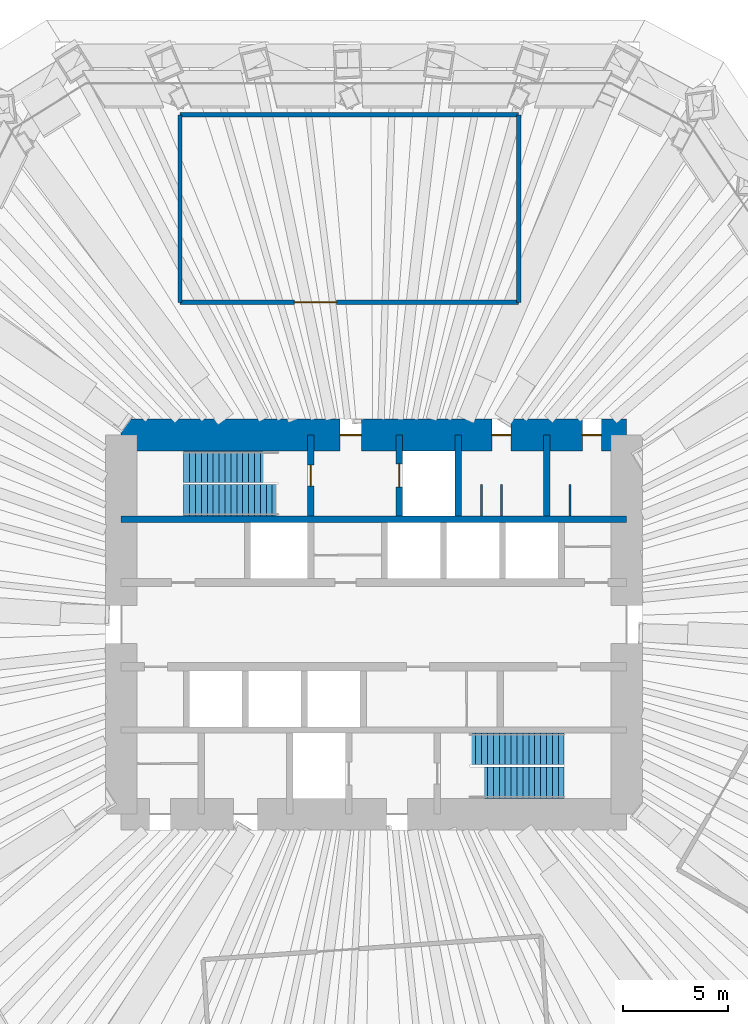
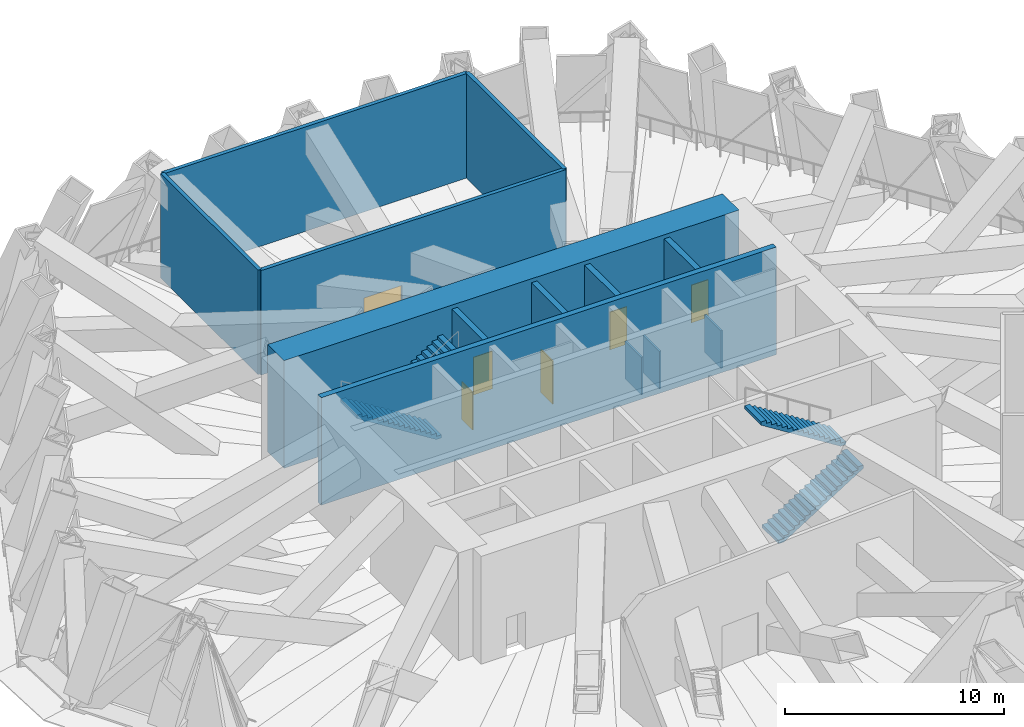
# One storey, part 8 of 12: 13 walls, 6 doors, 4 stair flights, 6 openings, 2 elements without a shape of their own.
"""IFC4 building model written with IfcOpenShell, lengths in metres."""

from ifc_helpers import new_model, si_unit, direction, frame, frame_2d, origin, place, context, subcontext, project, spatial, polyline, rectangle, outline, extrude, material, layer, layer_set, type_object, element, fill, aggregate, save


model = new_model("IFC4")

# Units and contexts
model_context = context("Model", 3, precision=1e-05, world=origin(), true_north=direction((0.0, 1.0)))
body_context = subcontext(model_context, "Body", "Model", "MODEL_VIEW")
ifc_project = project(units=[si_unit("LENGTHUNIT", "METRE"), si_unit("AREAUNIT", "SQUARE_METRE"), si_unit("VOLUMEUNIT", "CUBIC_METRE"), si_unit("PLANEANGLEUNIT", "RADIAN"), si_unit("MASSUNIT", "GRAM", prefix="KILO")], contexts=[model_context])

# Site, building, storey
site_placement = place(None, origin())
site = spatial("IfcSite", under=ifc_project, at=site_placement, CompositionType="ELEMENT")
building_placement = place(site_placement, origin())
building = spatial("IfcBuilding", under=site, at=building_placement, Name="Qingtian Harvest Tower", CompositionType="ELEMENT")
storey_placement = place(building_placement, frame((0.0, 0.0, 97.0)))
storey = spatial("IfcBuildingStorey", under=building, at=storey_placement, Name="L19", CompositionType="ELEMENT", Elevation=97.0)

# Wall
ifc_material_1 = material(Name="Concrete fc' 70 MPa", Category="concrete")
ifc_layer_1 = layer(ifc_material_1, 0.300048828125)
ifc_layer_set_1 = layer_set([ifc_layer_1], Name="Core inner wall RC5 300")
wall_type_1 = type_object("IfcWallType", Name="Core inner wall RC5 300", PredefinedType="SHEAR", material=ifc_layer_set_1)
wall_1_placement = place(storey_placement, frame((-12.0, 5.0, 0.0), z_axis=(0.0, 0.0, 1.0), x_axis=(1.0, 0.0, 0.0)))
element("IfcWall", 1, at=wall_1_placement, inside=storey, type_object=wall_type_1, Name="Core wall IN5 L19", PredefinedType="SHEAR", context=body_context, shape_type="SweptSolid", body=[
    extrude(rectangle(XDim=24.0, YDim=0.300048828125, at=frame_2d((12.0, 0.0))), origin(), (0.0, 0.0, 1.0), 6.0),
])

# Wall, opening, door
ifc_material_2 = material(Name="Precast concrete shaft panel", Category="concrete")
ifc_layer_2 = layer(ifc_material_2, 0.300048828125)
ifc_layer_set_2 = layer_set([ifc_layer_2], Name="Core shaft partition SW1 300")
wall_type_2 = type_object("IfcWallType", Name="Core shaft partition SW1 300", PredefinedType="PARTITIONING", material=ifc_layer_set_2)
wall_2_placement = place(storey_placement, frame((-3.0, 5.14990234375, 0.0), z_axis=(0.0, 0.0, 1.0), x_axis=(0.0, 1.0, 0.0)))
wall_2 = element("IfcWall", 2, at=wall_2_placement, inside=storey, type_object=wall_type_2, Name="Core shaft partition XN1 L19", PredefinedType="PARTITIONING", context=body_context, shape_type="SweptSolid", body=[
    extrude(rectangle(XDim=3.85009765625, YDim=0.300048828125, at=frame_2d((1.925048828125, 0.0))), origin(), (0.0, 0.0, 1.0), 5.780029296875),
])
opening_1_placement = place(wall_2_placement, frame((1.425048828125, 0.0, 0.0)))
opening_1 = element("IfcOpeningElement", 3, at=opening_1_placement, cuts=wall_2, Name="Opening FD1", PredefinedType="OPENING", context=body_context, shape_type="SweptSolid", body=[
    extrude(rectangle(XDim=1.0, YDim=2.10009765625, at=frame_2d((0.5, 1.050048828125))), frame((0.0, 0.159912109375, 0.0), z_axis=(0.0, -1.0, 0.0), x_axis=(1.0, 0.0, 0.0)), (0.0, 0.0, 1.0), 0.320068359375),
])
ifc_material_3 = material(Name="Steel-faced door leaf", Category="steel")
door_type_1 = type_object("IfcDoorType", Name="Fire door FD1 single 1 HR", OperationType="SINGLE_SWING_LEFT", PredefinedType="DOOR", material=ifc_material_3)
door_1_placement = place(opening_1_placement, origin())
door_1 = element("IfcDoor", 4, at=door_1_placement, inside=storey, type_object=door_type_1, Name="S1 door L19", OperationType="SINGLE_SWING_RIGHT", OverallHeight=2.10009765625, OverallWidth=1.0, PredefinedType="DOOR", context=body_context, shape_type="SweptSolid", body=[
    extrude(rectangle(XDim=1.0, YDim=2.10009765625, at=frame_2d((0.5, 1.050048828125))), frame((0.0, 0.02490234375, 0.0), z_axis=(0.0, -1.0, 0.0), x_axis=(1.0, 0.0, 0.0)), (0.0, 0.0, 1.0), 0.050048828125),
])
fill(opening_1, door_1)

wall_3_placement = place(storey_placement, frame((1.199951171875, 5.14990234375, 0.0), z_axis=(0.0, 0.0, 1.0), x_axis=(0.0, 1.0, 0.0)))
wall_3 = element("IfcWall", 5, at=wall_3_placement, inside=storey, type_object=wall_type_2, Name="Core shaft partition XN2 L19", PredefinedType="PARTITIONING", context=body_context, shape_type="SweptSolid", body=[
    extrude(rectangle(XDim=3.85009765625, YDim=0.300048828125, at=frame_2d((1.925048828125, 0.0))), origin(), (0.0, 0.0, 1.0), 5.780029296875),
])
opening_2_placement = place(wall_3_placement, frame((1.375, 0.0, 0.0)))
opening_2 = element("IfcOpeningElement", 6, at=opening_2_placement, cuts=wall_3, Name="Opening LD1", PredefinedType="OPENING", context=body_context, shape_type="SweptSolid", body=[
    extrude(rectangle(XDim=1.10009765625, YDim=2.39990234375, at=frame_2d((0.550048828125, 1.199951171875))), frame((0.0, 0.159912109375, 0.0), z_axis=(0.0, -1.0, 0.0), x_axis=(1.0, 0.0, 0.0)), (0.0, 0.0, 1.0), 0.320068359375),
])
ifc_material_4 = material(Name="Stainless steel lift landing door", Category="steel")
door_type_2 = type_object("IfcDoorType", Name="Lift landing door LD1 1 HR", OperationType="DOUBLE_DOOR_SLIDING", PredefinedType="DOOR", material=ifc_material_4)
door_2_placement = place(opening_2_placement, origin())
door_2 = element("IfcDoor", 7, at=door_2_placement, inside=storey, type_object=door_type_2, Name="FL1 landing door L19", OperationType="DOUBLE_DOOR_SLIDING", OverallHeight=2.39990234375, OverallWidth=1.10009765625, PredefinedType="DOOR", context=body_context, shape_type="SweptSolid", body=[
    extrude(rectangle(XDim=1.10009765625, YDim=2.39990234375, at=frame_2d((0.550048828125, 1.199951171875))), frame((0.0, 0.02490234375, 0.0), z_axis=(0.0, -1.0, 0.0), x_axis=(1.0, 0.0, 0.0)), (0.0, 0.0, 1.0), 0.050048828125),
])
fill(opening_2, door_2)

# Walls
for number, where, z_axis, x_axis, name in (
    (8, (4.0, 5.14990234375, 0.0), (0.0, 0.0, 1.0), (0.0, 1.0, 0.0), "Core shaft partition XN3 L19"),
    (9, (8.199951171875, 5.14990234375, 0.0), (0.0, 0.0, 1.0), (0.0, 1.0, 0.0), "Core shaft partition XN4 L19"),
):
    element("IfcWall", number, at=place(storey_placement, frame(where, z_axis=z_axis, x_axis=x_axis)), inside=storey, type_object=wall_type_2, Name=name, PredefinedType="PARTITIONING", context=body_context, shape_type="SweptSolid", body=[
        extrude(rectangle(XDim=3.85009765625, YDim=0.300048828125, at=frame_2d((1.925048828125, 0.0))), origin(), (0.0, 0.0, 1.0), 5.780029296875),
    ])

# Wall, openings, doors
ifc_material_5 = material(Name="Concrete fc' 70 MPa", Category="concrete")
ifc_layer_3 = layer(ifc_material_5, 1.5)
ifc_layer_set_3 = layer_set([ifc_layer_3], Name="Core wall RC1 1500")
wall_type_3 = type_object("IfcWallType", Name="Core wall RC1 1500", PredefinedType="SHEAR", material=ifc_layer_set_3)
wall_4_placement = place(storey_placement, frame((-12.0, 9.0, 0.0), z_axis=(0.0, 0.0, 1.0), x_axis=(1.0, 0.0, 0.0)))
wall_4 = element("IfcWall", 10, at=wall_4_placement, inside=storey, type_object=wall_type_3, Name="Core wall CN L19", PredefinedType="SHEAR", context=body_context, shape_type="SweptSolid", body=[
    extrude(rectangle(XDim=24.0, YDim=1.5, at=frame_2d((12.0, 0.0))), origin(), (0.0, 0.0, 1.0), 6.0),
])
opening_3_placement = place(wall_4_placement, frame((10.39990234375, 0.0, 0.0)))
opening_3 = element("IfcOpeningElement", 11, at=opening_3_placement, cuts=wall_4, Name="Opening FD1", PredefinedType="OPENING", context=body_context, shape_type="SweptSolid", body=[
    extrude(rectangle(XDim=1.0, YDim=2.10009765625, at=frame_2d((0.5, 1.050048828125))), frame((0.0, 0.760009765625, 0.0), z_axis=(0.0, -1.0, 0.0), x_axis=(1.0, 0.0, 0.0)), (0.0, 0.0, 1.0), 1.52001953125),
])
opening_4_placement = place(wall_4_placement, frame((17.60009765625, 0.0, 0.0)))
opening_4 = element("IfcOpeningElement", 12, at=opening_4_placement, cuts=wall_4, Name="Opening D1", PredefinedType="OPENING", context=body_context, shape_type="SweptSolid", body=[
    extrude(rectangle(XDim=0.89990234375, YDim=2.10009765625, at=frame_2d((0.449951171875, 1.050048828125))), frame((0.0, 0.760009765625, 0.0), z_axis=(0.0, -1.0, 0.0), x_axis=(1.0, 0.0, 0.0)), (0.0, 0.0, 1.0), 1.52001953125),
])
opening_5_placement = place(wall_4_placement, frame((21.89990234375, 0.0, 0.0)))
opening_5 = element("IfcOpeningElement", 13, at=opening_5_placement, cuts=wall_4, Name="Opening D1", PredefinedType="OPENING", context=body_context, shape_type="SweptSolid", body=[
    extrude(rectangle(XDim=0.89990234375, YDim=2.10009765625, at=frame_2d((0.449951171875, 1.050048828125))), frame((0.0, 0.760009765625, 0.0), z_axis=(0.0, -1.0, 0.0), x_axis=(1.0, 0.0, 0.0)), (0.0, 0.0, 1.0), 1.52001953125),
])
door_3_placement = place(opening_3_placement, origin())
door_3 = element("IfcDoor", 14, at=door_3_placement, inside=storey, type_object=door_type_1, Name="V1 door L19", OperationType="SINGLE_SWING_LEFT", OverallHeight=2.10009765625, OverallWidth=1.0, PredefinedType="DOOR", context=body_context, shape_type="SweptSolid", body=[
    extrude(rectangle(XDim=1.0, YDim=2.10009765625, at=frame_2d((0.5, 1.050048828125))), frame((0.0, 0.02490234375, 0.0), z_axis=(0.0, -1.0, 0.0), x_axis=(1.0, 0.0, 0.0)), (0.0, 0.0, 1.0), 0.050048828125),
])
fill(opening_3, door_3)
ifc_material_6 = material(Name="Laminated timber door leaf", Category="wood")
door_type_3 = type_object("IfcDoorType", Name="Toilet door D1 single", OperationType="SINGLE_SWING_LEFT", PredefinedType="DOOR", material=ifc_material_6)
door_4_placement = place(opening_4_placement, origin())
door_4 = element("IfcDoor", 15, at=door_4_placement, inside=storey, type_object=door_type_3, Name="WCM door L19", OperationType="SINGLE_SWING_RIGHT", OverallHeight=2.10009765625, OverallWidth=0.89990234375, PredefinedType="DOOR", context=body_context, shape_type="SweptSolid", body=[
    extrude(rectangle(XDim=0.89990234375, YDim=2.10009765625, at=frame_2d((0.449951171875, 1.050048828125))), frame((0.0, 0.02490234375, 0.0), z_axis=(0.0, -1.0, 0.0), x_axis=(1.0, 0.0, 0.0)), (0.0, 0.0, 1.0), 0.050048828125),
])
fill(opening_4, door_4)
door_5_placement = place(opening_5_placement, origin())
door_5 = element("IfcDoor", 16, at=door_5_placement, inside=storey, type_object=door_type_3, Name="WCF door L19", OperationType="SINGLE_SWING_RIGHT", OverallHeight=2.10009765625, OverallWidth=0.89990234375, PredefinedType="DOOR", context=body_context, shape_type="SweptSolid", body=[
    extrude(rectangle(XDim=0.89990234375, YDim=2.10009765625, at=frame_2d((0.449951171875, 1.050048828125))), frame((0.0, 0.02490234375, 0.0), z_axis=(0.0, -1.0, 0.0), x_axis=(1.0, 0.0, 0.0)), (0.0, 0.0, 1.0), 0.050048828125),
])
fill(opening_5, door_5)

# Walls
ifc_material_7 = material(Name="Blockwork fire wall", Category="masonry")
ifc_layer_4 = layer(ifc_material_7, 0.199951171875)
ifc_layer_set_4 = layer_set([ifc_layer_4], Name="Fire partition FW1 200")
wall_type_4 = type_object("IfcWallType", Name="Fire partition FW1 200", PredefinedType="PARTITIONING", material=ifc_layer_set_4)
for number, where, z_axis, x_axis, name in (
    (17, (-9.20263671875, 24.199951171875, 0.0), (0.0, 0.0, 1.0), (0.0, -1.0, 0.0), "Mechanical plant room wall L19"),
    (18, (6.873779296875, 24.199951171875, 0.0), (0.0, 0.0, 1.0), (0.0, -1.0, 0.0), "Mechanical plant room wall L19"),
):
    element("IfcWall", number, at=place(storey_placement, frame(where, z_axis=z_axis, x_axis=x_axis)), inside=storey, type_object=wall_type_4, Name=name, PredefinedType="PARTITIONING", context=body_context, shape_type="SweptSolid", body=[
        extrude(rectangle(XDim=8.89990234375, YDim=0.199951171875, at=frame_2d((4.449951171875, 0.0))), origin(), (0.0, 0.0, 1.0), 5.830078125),
    ])

# Wall, opening, door
wall_5_placement = place(storey_placement, frame((-9.20263671875, 15.300048828125, 0.0), z_axis=(0.0, 0.0, 1.0), x_axis=(1.0, 0.0, 0.0)))
wall_5 = element("IfcWall", 19, at=wall_5_placement, inside=storey, type_object=wall_type_4, Name="Mechanical plant room wall L19", PredefinedType="PARTITIONING", context=body_context, shape_type="SweptSolid", body=[
    extrude(rectangle(XDim=16.076416015625, YDim=0.199951171875, at=frame_2d((8.0380859375, 0.0))), origin(), (0.0, 0.0, 1.0), 5.830078125),
])
opening_6_placement = place(wall_5_placement, frame((5.430419921875, 0.0, 0.0)))
opening_6 = element("IfcOpeningElement", 20, at=opening_6_placement, cuts=wall_5, Name="Opening FD3", PredefinedType="OPENING", context=body_context, shape_type="SweptSolid", body=[
    extrude(rectangle(XDim=2.0, YDim=2.39990234375, at=frame_2d((1.0, 1.199951171875))), frame((0.0, 0.10986328125, 0.0), z_axis=(0.0, -1.0, 0.0), x_axis=(1.0, 0.0, 0.0)), (0.0, 0.0, 1.0), 0.219970703125),
])
ifc_material_8 = material(Name="Steel-faced door leaf", Category="steel")
door_type_4 = type_object("IfcDoorType", Name="Fire door FD3 double 2 HR", OperationType="DOUBLE_DOOR_DOUBLE_SWING", PredefinedType="DOOR", material=ifc_material_8)
door_6_placement = place(opening_6_placement, origin())
door_6 = element("IfcDoor", 21, at=door_6_placement, inside=storey, type_object=door_type_4, Name="Mechanical plant room door L19", OperationType="DOUBLE_DOOR_DOUBLE_SWING", OverallHeight=2.39990234375, OverallWidth=2.0, PredefinedType="DOOR", context=body_context, shape_type="SweptSolid", body=[
    extrude(rectangle(XDim=2.0, YDim=2.39990234375, at=frame_2d((1.0, 1.199951171875))), frame((0.0, 0.02490234375, 0.0), z_axis=(0.0, -1.0, 0.0), x_axis=(1.0, 0.0, 0.0)), (0.0, 0.0, 1.0), 0.050048828125),
])
fill(opening_6, door_6)

# Walls
wall_6_placement = place(storey_placement, frame((-9.20263671875, 24.199951171875, 0.0), z_axis=(0.0, 0.0, 1.0), x_axis=(1.0, 0.0, 0.0)))
element("IfcWall", 22, at=wall_6_placement, inside=storey, type_object=wall_type_4, Name="Mechanical plant room outer wall L19", PredefinedType="PARTITIONING", context=body_context, shape_type="SweptSolid", body=[
    extrude(rectangle(XDim=16.076416015625, YDim=0.199951171875, at=frame_2d((8.0380859375, 0.0))), origin(), (0.0, 0.0, 1.0), 5.830078125),
])
ifc_material_9 = material(Name="Compact laminate cubicle partition", Category="plastic")
ifc_layer_5 = layer(ifc_material_9, 0.10009765625)
ifc_layer_set_5 = layer_set([ifc_layer_5], Name="WC cubicle partition WP1 100")
wall_type_5 = type_object("IfcWallType", Name="WC cubicle partition WP1 100", PredefinedType="PARTITIONING", material=ifc_layer_set_5)
for number, where, z_axis, x_axis, name in (
    (23, (5.10009765625, 5.14990234375, 0.0), (0.0, 0.0, 1.0), (0.0, 1.0, 0.0), "WC cubicle partition WCM L19"),
    (24, (6.050048828125, 5.14990234375, 0.0), (0.0, 0.0, 1.0), (0.0, 1.0, 0.0), "WC cubicle partition WCM L19"),
    (25, (9.300048828125, 5.14990234375, 0.0), (0.0, 0.0, 1.0), (0.0, 1.0, 0.0), "WC cubicle partition WCF L19"),
):
    element("IfcWall", number, at=place(storey_placement, frame(where, z_axis=z_axis, x_axis=x_axis)), inside=storey, type_object=wall_type_5, Name=name, PredefinedType="PARTITIONING", context=body_context, shape_type="SweptSolid", body=[
        extrude(rectangle(XDim=1.5, YDim=0.10009765625, at=frame_2d((0.75, 0.0))), origin(), (0.0, 0.0, 1.0), 2.10009765625),
    ])

# Stair, stair flights
ifc_material_10 = material(Name="Concrete fc' 35 MPa", Category="concrete")
stair_type = type_object("IfcStairType", Name="Special stair ST1 6000", PredefinedType="HALF_TURN_STAIR", material=ifc_material_10)
stair_1_placement = place(storey_placement, origin())
stair_1 = element("IfcStair", 26, at=stair_1_placement, inside=storey, type_object=stair_type, Name="Special stair S1 L19", PredefinedType="HALF_TURN_STAIR")
ifc_material_11 = material(Name="Concrete fc' 35 MPa", Category="concrete")
stair_flight_type = type_object("IfcStairFlightType", Name="Stair flight SF1 6000", PredefinedType="STRAIGHT", material=ifc_material_11)
stair_flight_1_placement = place(storey_placement, frame((-4.550048828125, 7.5, 0.0), z_axis=(0.0, 0.0, 1.0), x_axis=(-1.0, 0.0, 0.0)))
stair_flight_1 = element("IfcStairFlight", 27, at=stair_flight_1_placement, type_object=stair_flight_type, Name="S1 flight 1", NumberOfRisers=17, NumberOfTreads=16, PredefinedType="STRAIGHT", RiserHeight=0.176470588, TreadLength=0.28, context=body_context, shape_type="SweptSolid", body=[
    extrude(outline(polyline([(0.0, 0.0), (0.0, 0.176513671875), (0.280029296875, 0.176513671875), (0.280029296875, 0.35302734375), (0.56005859375, 0.35302734375), (0.56005859375, 0.529296875), (0.840087890625, 0.529296875), (0.840087890625, 0.705810546875), (1.1201171875, 0.705810546875), (1.1201171875, 0.88232421875), (1.39990234375, 0.88232421875), (1.39990234375, 1.058837890625), (1.679931640625, 1.058837890625), (1.679931640625, 1.2353515625), (1.9599609375, 1.2353515625), (1.9599609375, 1.411865234375), (2.239990234375, 1.411865234375), (2.239990234375, 1.588134765625), (2.52001953125, 1.588134765625), (2.52001953125, 1.7646484375), (2.800048828125, 1.7646484375), (2.800048828125, 1.941162109375), (3.080078125, 1.941162109375), (3.080078125, 2.11767578125), (3.360107421875, 2.11767578125), (3.360107421875, 2.294189453125), (3.639892578125, 2.294189453125), (3.639892578125, 2.470703125), (3.919921875, 2.470703125), (3.919921875, 2.64697265625), (4.199951171875, 2.64697265625), (4.199951171875, 2.823486328125), (4.47998046875, 2.823486328125), (4.47998046875, 3.0), (4.47998046875, 2.646240234375), (0.28125, 0.0), (0.0, 0.0)])), frame((0.0, 0.75, 0.0), z_axis=(0.0, -1.0, 0.0), x_axis=(1.0, 0.0, 0.0)), (0.0, 0.0, 1.0), 1.5),
])
stair_flight_2_placement = place(storey_placement, frame((-9.030029296875, 5.89990234375, 3.0), z_axis=(0.0, 0.0, 1.0), x_axis=(1.0, 0.0, 0.0)))
stair_flight_2 = element("IfcStairFlight", 28, at=stair_flight_2_placement, type_object=stair_flight_type, Name="S1 flight 2", NumberOfRisers=17, NumberOfTreads=16, PredefinedType="STRAIGHT", RiserHeight=0.176470588, TreadLength=0.28, context=body_context, shape_type="SweptSolid", body=[
    extrude(outline(polyline([(0.0, 0.0), (0.0, 0.176513671875), (0.280029296875, 0.176513671875), (0.280029296875, 0.35302734375), (0.56005859375, 0.35302734375), (0.56005859375, 0.529296875), (0.840087890625, 0.529296875), (0.840087890625, 0.705810546875), (1.1201171875, 0.705810546875), (1.1201171875, 0.88232421875), (1.39990234375, 0.88232421875), (1.39990234375, 1.058837890625), (1.679931640625, 1.058837890625), (1.679931640625, 1.2353515625), (1.9599609375, 1.2353515625), (1.9599609375, 1.411865234375), (2.239990234375, 1.411865234375), (2.239990234375, 1.588134765625), (2.52001953125, 1.588134765625), (2.52001953125, 1.7646484375), (2.800048828125, 1.7646484375), (2.800048828125, 1.941162109375), (3.080078125, 1.941162109375), (3.080078125, 2.11767578125), (3.360107421875, 2.11767578125), (3.360107421875, 2.294189453125), (3.639892578125, 2.294189453125), (3.639892578125, 2.470703125), (3.919921875, 2.470703125), (3.919921875, 2.64697265625), (4.199951171875, 2.64697265625), (4.199951171875, 2.823486328125), (4.47998046875, 2.823486328125), (4.47998046875, 3.0), (4.47998046875, 2.646240234375), (0.28125, 0.0), (0.0, 0.0)])), frame((0.0, 0.75, 0.0), z_axis=(0.0, -1.0, 0.0), x_axis=(1.0, 0.0, 0.0)), (0.0, 0.0, 1.0), 1.5),
])
aggregate(stair_1, [stair_flight_1, stair_flight_2])

stair_2_placement = place(storey_placement, origin())
stair_2 = element("IfcStair", 29, at=stair_2_placement, inside=storey, type_object=stair_type, Name="Special stair S2 L19", PredefinedType="HALF_TURN_STAIR")
stair_flight_3_placement = place(storey_placement, frame((4.550048828125, -7.5, 0.0), z_axis=(0.0, 0.0, 1.0), x_axis=(1.0, 0.0, 0.0)))
stair_flight_3 = element("IfcStairFlight", 30, at=stair_flight_3_placement, type_object=stair_flight_type, Name="S2 flight 1", NumberOfRisers=17, NumberOfTreads=16, PredefinedType="STRAIGHT", RiserHeight=0.176470588, TreadLength=0.28, context=body_context, shape_type="SweptSolid", body=[
    extrude(outline(polyline([(0.0, 0.0), (0.0, 0.176513671875), (0.280029296875, 0.176513671875), (0.280029296875, 0.35302734375), (0.56005859375, 0.35302734375), (0.56005859375, 0.529296875), (0.840087890625, 0.529296875), (0.840087890625, 0.705810546875), (1.1201171875, 0.705810546875), (1.1201171875, 0.88232421875), (1.39990234375, 0.88232421875), (1.39990234375, 1.058837890625), (1.679931640625, 1.058837890625), (1.679931640625, 1.2353515625), (1.9599609375, 1.2353515625), (1.9599609375, 1.411865234375), (2.239990234375, 1.411865234375), (2.239990234375, 1.588134765625), (2.52001953125, 1.588134765625), (2.52001953125, 1.7646484375), (2.800048828125, 1.7646484375), (2.800048828125, 1.941162109375), (3.080078125, 1.941162109375), (3.080078125, 2.11767578125), (3.360107421875, 2.11767578125), (3.360107421875, 2.294189453125), (3.639892578125, 2.294189453125), (3.639892578125, 2.470703125), (3.919921875, 2.470703125), (3.919921875, 2.64697265625), (4.199951171875, 2.64697265625), (4.199951171875, 2.823486328125), (4.47998046875, 2.823486328125), (4.47998046875, 3.0), (4.47998046875, 2.646240234375), (0.28125, 0.0), (0.0, 0.0)])), frame((0.0, 0.75, 0.0), z_axis=(0.0, -1.0, 0.0), x_axis=(1.0, 0.0, 0.0)), (0.0, 0.0, 1.0), 1.5),
])
stair_flight_4_placement = place(storey_placement, frame((9.030029296875, -5.89990234375, 3.0), z_axis=(0.0, 0.0, 1.0), x_axis=(-1.0, 0.0, 0.0)))
stair_flight_4 = element("IfcStairFlight", 31, at=stair_flight_4_placement, type_object=stair_flight_type, Name="S2 flight 2", NumberOfRisers=17, NumberOfTreads=16, PredefinedType="STRAIGHT", RiserHeight=0.176470588, TreadLength=0.28, context=body_context, shape_type="SweptSolid", body=[
    extrude(outline(polyline([(0.0, 0.0), (0.0, 0.176513671875), (0.280029296875, 0.176513671875), (0.280029296875, 0.35302734375), (0.56005859375, 0.35302734375), (0.56005859375, 0.529296875), (0.840087890625, 0.529296875), (0.840087890625, 0.705810546875), (1.1201171875, 0.705810546875), (1.1201171875, 0.88232421875), (1.39990234375, 0.88232421875), (1.39990234375, 1.058837890625), (1.679931640625, 1.058837890625), (1.679931640625, 1.2353515625), (1.9599609375, 1.2353515625), (1.9599609375, 1.411865234375), (2.239990234375, 1.411865234375), (2.239990234375, 1.588134765625), (2.52001953125, 1.588134765625), (2.52001953125, 1.7646484375), (2.800048828125, 1.7646484375), (2.800048828125, 1.941162109375), (3.080078125, 1.941162109375), (3.080078125, 2.11767578125), (3.360107421875, 2.11767578125), (3.360107421875, 2.294189453125), (3.639892578125, 2.294189453125), (3.639892578125, 2.470703125), (3.919921875, 2.470703125), (3.919921875, 2.64697265625), (4.199951171875, 2.64697265625), (4.199951171875, 2.823486328125), (4.47998046875, 2.823486328125), (4.47998046875, 3.0), (4.47998046875, 2.646240234375), (0.28125, 0.0), (0.0, 0.0)])), frame((0.0, 0.75, 0.0), z_axis=(0.0, -1.0, 0.0), x_axis=(1.0, 0.0, 0.0)), (0.0, 0.0, 1.0), 1.5),
])
aggregate(stair_2, [stair_flight_3, stair_flight_4])

save(model, "model.ifc")
